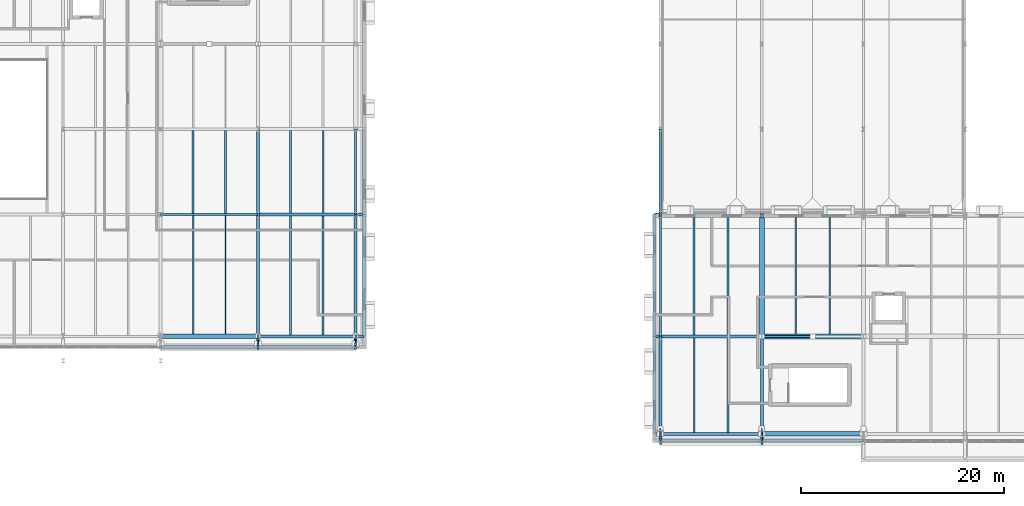
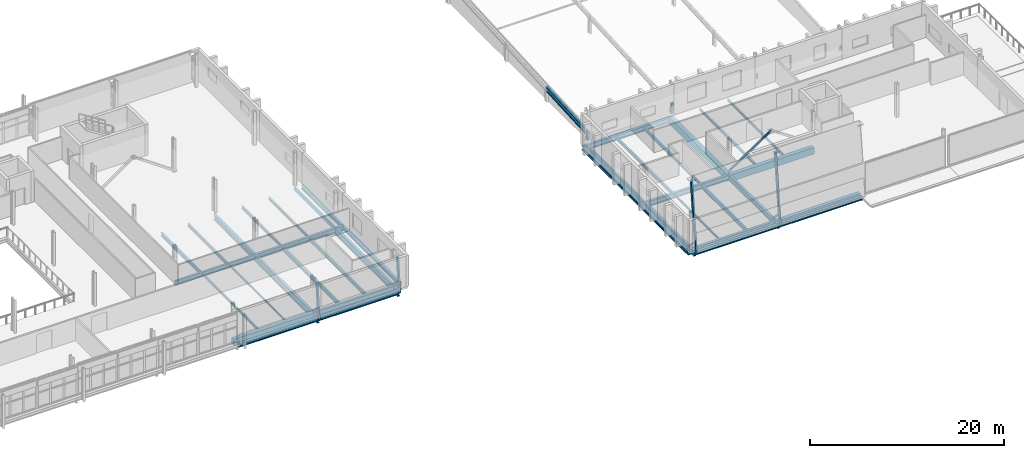
# One storey, part 24 of 57: 40 beams, 11 members.
"""IFC4 building model written with IfcOpenShell, lengths in metres."""

from ifc_helpers import new_model, si_unit, direction, frame, origin, origin_2d, place, context, subcontext, project, spatial, rectangle, hollow_rectangle, i_section, extrude, material, material_profile, profile_set, type_object, element, save


model = new_model("IFC4")

# Units and contexts
model_context = context("Model", 3, precision=1e-05, world=origin(), true_north=direction((0.0, 1.0)))
body_context = subcontext(model_context, "Body", "Model", "MODEL_VIEW")
ifc_project = project(units=[si_unit("LENGTHUNIT", "METRE"), si_unit("AREAUNIT", "SQUARE_METRE"), si_unit("VOLUMEUNIT", "CUBIC_METRE"), si_unit("PLANEANGLEUNIT", "RADIAN"), si_unit("MASSUNIT", "GRAM", prefix="KILO")], contexts=[model_context])

# Site, building, storey
site_placement = place(None, origin())
site = spatial("IfcSite", under=ifc_project, at=site_placement, CompositionType="ELEMENT")
building_placement = place(site_placement, origin())
building = spatial("IfcBuilding", under=site, at=building_placement, Name="Zereglee Splitstone Museum", CompositionType="ELEMENT")
storey_placement = place(building_placement, frame((0.0, 0.0, 17.10009765625)))
storey = spatial("IfcBuildingStorey", under=building, at=storey_placement, Name="L03", CompositionType="ELEMENT", Elevation=17.10009765625)

# Beams
ifc_material_1 = material(Name="Concrete C40/50", Category="concrete")
ifc_material_profile_1 = material_profile(ifc_material_1, rectangle(XDim=0.5, YDim=0.85009765625, at=origin_2d()), Name="RC 500x850")
ifc_profile_set_1 = profile_set([ifc_material_profile_1], Name="Concrete C40/50")
beam_type_1 = type_object("IfcBeamType", Name="BG-02", PredefinedType="BEAM", material=ifc_profile_set_1)
beam_1_placement = place(storey_placement, frame((185.199951171875, 9.60009765625, -0.705078125), z_axis=(1.0, 0.0, 0.0), x_axis=(0.0, 1.0, 0.0)))
element("IfcBeam", 1, at=beam_1_placement, inside=storey, type_object=beam_type_1, Name="Primary Girder L03 B (185.2-195.2)", PredefinedType="BEAM", context=body_context, shape_type="SweptSolid", body=[
    extrude(rectangle(XDim=0.5, YDim=0.85009765625, at=origin_2d()), origin(), (0.0, 0.0, 1.0), 10.0),
])
beam_2_placement = place(storey_placement, frame((185.199951171875, 9.60009765625, -0.705078125), z_axis=(0.0, 1.0, 0.0), x_axis=(-1.0, 0.0, 0.0)))
element("IfcBeam", 2, at=beam_2_placement, inside=storey, type_object=beam_type_1, Name="Primary Girder L03 21 (9.6-21.6)", PredefinedType="BEAM", context=body_context, shape_type="SweptSolid", body=[
    extrude(rectangle(XDim=0.5, YDim=0.85009765625, at=origin_2d()), origin(), (0.0, 0.0, 1.0), 12.0),
])

# Member
ifc_material_2 = material(Name="Steel S355J2H", Category="steel")
ifc_material_profile_2 = material_profile(ifc_material_2, hollow_rectangle(XDim=0.179931640625, YDim=0.179931640625, WallThickness=0.010009765625, at=origin_2d()), Name="SHS 180x180x10")
ifc_profile_set_2 = profile_set([ifc_material_profile_2], Name="Steel S355J2H")
member_type_1 = type_object("IfcMemberType", Name="TB-08", PredefinedType="BRACE", material=ifc_profile_set_2)
member_placement = place(storey_placement, frame((185.199951171875, 9.60009765625, 0.119873046875), z_axis=(0.82999331447, 0.0, 0.557773339211), x_axis=(0.0, 1.0, 0.0)))
element("IfcMember", 3, at=member_placement, inside=storey, type_object=member_type_1, Name="Lateral Braced Frame Chevron L03-018A", PredefinedType="BRACE", context=body_context, shape_type="SweptSolid", body=[
    extrude(hollow_rectangle(XDim=0.179931640625, YDim=0.179931640625, WallThickness=0.010009765625, at=origin_2d()), origin(), (0.0, 0.0, 1.0), 6.024169921875),
])

# Beams
ifc_material_3 = material(Name="Steel S355J2", Category="steel")
ifc_material_profile_3 = material_profile(ifc_material_3, i_section(OverallWidth=0.300048828125, OverallDepth=0.64990234375, WebThickness=0.01611328125, FlangeThickness=0.031005859375, FilletRadius=0.027099609375, at=origin_2d()), Name="HE 650 B")
ifc_profile_set_3 = profile_set([ifc_material_profile_3], Name="Steel S355J2")
beam_type_2 = type_object("IfcBeamType", Name="BG-09", PredefinedType="BEAM", material=ifc_profile_set_3)
beam_3_placement = place(storey_placement, frame((174.64990234375, 0.0, -0.60498046875), z_axis=(1.0, 0.0, 0.0), x_axis=(0.0, 1.0, 0.0)))
element("IfcBeam", 4, at=beam_3_placement, inside=storey, type_object=beam_type_2, Name="Primary Girder L03 A (174.7-185.2)", PredefinedType="BEAM", context=body_context, shape_type="SweptSolid", body=[
    extrude(i_section(OverallWidth=0.300048828125, OverallDepth=0.64990234375, WebThickness=0.01611328125, FlangeThickness=0.031005859375, FilletRadius=0.027099609375, at=origin_2d()), origin(), (0.0, 0.0, 1.0), 10.550048828125),
])
beam_4_placement = place(storey_placement, frame((135.60009765625, 9.60009765625, -0.60498046875), z_axis=(1.0, 0.0, 0.0), x_axis=(0.0, 1.0, 0.0)))
element("IfcBeam", 5, at=beam_4_placement, inside=storey, type_object=beam_type_2, Name="Primary Girder L03 B (135.6-146.1)", PredefinedType="BEAM", context=body_context, shape_type="SweptSolid", body=[
    extrude(i_section(OverallWidth=0.300048828125, OverallDepth=0.64990234375, WebThickness=0.01611328125, FlangeThickness=0.031005859375, FilletRadius=0.027099609375, at=origin_2d()), origin(), (0.0, 0.0, 1.0), 10.449951171875),
])
beam_5_placement = place(storey_placement, frame((174.64990234375, 9.60009765625, -0.60498046875), z_axis=(1.0, 0.0, 0.0), x_axis=(0.0, 1.0, 0.0)))
element("IfcBeam", 6, at=beam_5_placement, inside=storey, type_object=beam_type_2, Name="Primary Girder L03 B (174.7-185.2)", PredefinedType="BEAM", context=body_context, shape_type="SweptSolid", body=[
    extrude(i_section(OverallWidth=0.300048828125, OverallDepth=0.64990234375, WebThickness=0.01611328125, FlangeThickness=0.031005859375, FilletRadius=0.027099609375, at=origin_2d()), origin(), (0.0, 0.0, 1.0), 10.550048828125),
])
beam_6_placement = place(storey_placement, frame((135.60009765625, 21.60009765625, -0.60498046875), z_axis=(1.0, 0.0, 0.0), x_axis=(0.0, 1.0, 0.0)))
element("IfcBeam", 7, at=beam_6_placement, inside=storey, type_object=beam_type_2, Name="Primary Girder L03 C (135.6-146.1)", PredefinedType="BEAM", context=body_context, shape_type="SweptSolid", body=[
    extrude(i_section(OverallWidth=0.300048828125, OverallDepth=0.64990234375, WebThickness=0.01611328125, FlangeThickness=0.031005859375, FilletRadius=0.027099609375, at=origin_2d()), origin(), (0.0, 0.0, 1.0), 10.449951171875),
])
beam_7_placement = place(storey_placement, frame((174.64990234375, 21.60009765625, -0.60498046875), z_axis=(1.0, 0.0, 0.0), x_axis=(0.0, 1.0, 0.0)))
element("IfcBeam", 8, at=beam_7_placement, inside=storey, type_object=beam_type_2, Name="Primary Girder L03 C (174.7-185.2)", PredefinedType="BEAM", context=body_context, shape_type="SweptSolid", body=[
    extrude(i_section(OverallWidth=0.300048828125, OverallDepth=0.64990234375, WebThickness=0.01611328125, FlangeThickness=0.031005859375, FilletRadius=0.027099609375, at=origin_2d()), origin(), (0.0, 0.0, 1.0), 10.550048828125),
])
for number, where, z_axis, x_axis, name in (
    (9, (175.199951171875, -0.64990234375, -0.60498046875), (0.0, 1.0, 0.0), (-1.0, 0.0, 0.0), "Primary Girder L03 20 (-0.7-9.6)"),
    (10, (185.199951171875, -0.64990234375, -0.60498046875), (0.0, 1.0, 0.0), (-1.0, 0.0, 0.0), "Primary Girder L03 21 (-0.7-9.6)"),
):
    element("IfcBeam", number, at=place(storey_placement, frame(where, z_axis=z_axis, x_axis=x_axis)), inside=storey, type_object=beam_type_2, Name=name, PredefinedType="BEAM", context=body_context, shape_type="SweptSolid", body=[
        extrude(i_section(OverallWidth=0.300048828125, OverallDepth=0.64990234375, WebThickness=0.01611328125, FlangeThickness=0.031005859375, FilletRadius=0.027099609375, at=origin_2d()), origin(), (0.0, 0.0, 1.0), 10.25),
    ])
ifc_material_profile_4 = material_profile(ifc_material_3, i_section(OverallWidth=0.300048828125, OverallDepth=0.699951171875, WebThickness=0.01708984375, FlangeThickness=0.031982421875, FilletRadius=0.027099609375, at=origin_2d()), Name="HE 700 B")
ifc_profile_set_4 = profile_set([ifc_material_profile_4], Name="Steel S355J2")
beam_type_3 = type_object("IfcBeamType", Name="BG-08", PredefinedType="BEAM", material=ifc_profile_set_4)
beam_8_placement = place(storey_placement, frame((135.60009765625, 21.60009765625, -0.630126953125), z_axis=(0.0, 1.0, 0.0), x_axis=(-1.0, 0.0, 0.0)))
element("IfcBeam", 11, at=beam_8_placement, inside=storey, type_object=beam_type_3, Name="Primary Girder L03 16 (21.6-30.0)", PredefinedType="BEAM", context=body_context, shape_type="SweptSolid", body=[
    extrude(i_section(OverallWidth=0.300048828125, OverallDepth=0.699951171875, WebThickness=0.01708984375, FlangeThickness=0.031982421875, FilletRadius=0.027099609375, at=origin_2d()), origin(), (0.0, 0.0, 1.0), 8.39990234375),
])
ifc_material_profile_5 = material_profile(ifc_material_3, i_section(OverallWidth=0.300048828125, OverallDepth=0.800048828125, WebThickness=0.017578125, FlangeThickness=0.032958984375, FilletRadius=0.030029296875, at=origin_2d()), Name="HE 800 B")
ifc_profile_set_5 = profile_set([ifc_material_profile_5], Name="Steel S355J2")
beam_type_4 = type_object("IfcBeamType", Name="BG-07", PredefinedType="BEAM", material=ifc_profile_set_5)
for number, where, z_axis, x_axis, name in (
    (12, (135.60009765625, 8.550048828125, -0.68017578125), (0.0, 1.0, 0.0), (-1.0, 0.0, 0.0), "Primary Girder L03 16 (8.6-21.6)"),
    (13, (145.199951171875, 8.550048828125, -0.68017578125), (0.0, 1.0, 0.0), (-1.0, 0.0, 0.0), "Primary Girder L03 17 (8.6-21.6)"),
):
    element("IfcBeam", number, at=place(storey_placement, frame(where, z_axis=z_axis, x_axis=x_axis)), inside=storey, type_object=beam_type_4, Name=name, PredefinedType="BEAM", context=body_context, shape_type="SweptSolid", body=[
        extrude(i_section(OverallWidth=0.300048828125, OverallDepth=0.800048828125, WebThickness=0.017578125, FlangeThickness=0.032958984375, FilletRadius=0.030029296875, at=origin_2d()), origin(), (0.0, 0.0, 1.0), 13.050048828125),
    ])
ifc_material_profile_6 = material_profile(ifc_material_3, i_section(OverallWidth=0.219970703125, OverallDepth=0.60009765625, WebThickness=0.011962890625, FlangeThickness=0.01904296875, FilletRadius=0.02392578125, at=origin_2d()), Name="IPE 600")
ifc_profile_set_6 = profile_set([ifc_material_profile_6], Name="Steel S355J2")
beam_type_5 = type_object("IfcBeamType", Name="BG-15", PredefinedType="BEAM", material=ifc_profile_set_6)
beam_9_placement = place(storey_placement, frame((126.0, 21.60009765625, -0.580078125), z_axis=(1.0, 0.0, 0.0), x_axis=(0.0, 1.0, 0.0)))
element("IfcBeam", 14, at=beam_9_placement, inside=storey, type_object=beam_type_5, Name="Primary Girder L03 C (126.0-135.6)", PredefinedType="BEAM", context=body_context, shape_type="SweptSolid", body=[
    extrude(i_section(OverallWidth=0.219970703125, OverallDepth=0.60009765625, WebThickness=0.011962890625, FlangeThickness=0.01904296875, FilletRadius=0.02392578125, at=origin_2d()), origin(), (0.0, 0.0, 1.0), 9.60009765625),
])
ifc_material_profile_7 = material_profile(ifc_material_3, i_section(OverallWidth=0.1201171875, OverallDepth=0.239990234375, WebThickness=0.006103515625, FlangeThickness=0.009765625, FilletRadius=0.014892578125, at=origin_2d()), Name="IPE 240")
ifc_profile_set_7 = profile_set([ifc_material_profile_7], Name="Steel S355J2")
beam_type_6 = type_object("IfcBeamType", Name="BJ-07", PredefinedType="JOIST", material=ifc_profile_set_7)
beam_10_placement = place(storey_placement, frame((178.533203125, 0.14990234375, -0.400146484375), z_axis=(0.0, 1.0, 0.0), x_axis=(-1.0, 0.0, 0.0)))
element("IfcBeam", 15, at=beam_10_placement, inside=storey, type_object=beam_type_6, Name="Secondary Floor Joist L03-1308", PredefinedType="JOIST", context=body_context, shape_type="SweptSolid", body=[
    extrude(i_section(OverallWidth=0.1201171875, OverallDepth=0.239990234375, WebThickness=0.006103515625, FlangeThickness=0.009765625, FilletRadius=0.014892578125, at=origin_2d()), origin(), (0.0, 0.0, 1.0), 9.300048828125),
])
beam_11_placement = place(storey_placement, frame((132.39990234375, 9.824951171875, -0.400146484375), z_axis=(0.0, 1.0, 0.0), x_axis=(-1.0, 0.0, 0.0)))
element("IfcBeam", 16, at=beam_11_placement, inside=storey, type_object=beam_type_6, Name="Secondary Floor Joist L03-1329", PredefinedType="JOIST", context=body_context, shape_type="SweptSolid", body=[
    extrude(i_section(OverallWidth=0.1201171875, OverallDepth=0.239990234375, WebThickness=0.006103515625, FlangeThickness=0.009765625, FilletRadius=0.014892578125, at=origin_2d()), origin(), (0.0, 0.0, 1.0), 11.6650390625),
])
ifc_material_profile_8 = material_profile(ifc_material_3, i_section(OverallWidth=0.14990234375, OverallDepth=0.300048828125, WebThickness=0.007080078125, FlangeThickness=0.0107421875, FilletRadius=0.014892578125, at=origin_2d()), Name="IPE 300")
ifc_profile_set_8 = profile_set([ifc_material_profile_8], Name="Steel S355J2")
beam_type_7 = type_object("IfcBeamType", Name="BJ-06", PredefinedType="JOIST", material=ifc_profile_set_8)
beam_12_placement = place(storey_placement, frame((129.199951171875, 9.824951171875, -0.43017578125), z_axis=(0.0, 1.0, 0.0), x_axis=(-1.0, 0.0, 0.0)))
element("IfcBeam", 17, at=beam_12_placement, inside=storey, type_object=beam_type_7, Name="Secondary Floor Joist L03-1328", PredefinedType="JOIST", context=body_context, shape_type="SweptSolid", body=[
    extrude(i_section(OverallWidth=0.14990234375, OverallDepth=0.300048828125, WebThickness=0.007080078125, FlangeThickness=0.0107421875, FilletRadius=0.014892578125, at=origin_2d()), origin(), (0.0, 0.0, 1.0), 11.6650390625),
])
beam_13_placement = place(storey_placement, frame((191.86669921875, 9.85009765625, -0.43017578125), z_axis=(0.0, 1.0, 0.0), x_axis=(-1.0, 0.0, 0.0)))
element("IfcBeam", 18, at=beam_13_placement, inside=storey, type_object=beam_type_7, Name="Secondary Floor Joist L03-1335", PredefinedType="JOIST", context=body_context, shape_type="SweptSolid", body=[
    extrude(i_section(OverallWidth=0.14990234375, OverallDepth=0.300048828125, WebThickness=0.007080078125, FlangeThickness=0.0107421875, FilletRadius=0.014892578125, at=origin_2d()), origin(), (0.0, 0.0, 1.0), 11.60986328125),
])
ifc_material_profile_9 = material_profile(ifc_material_3, i_section(OverallWidth=0.159912109375, OverallDepth=0.330078125, WebThickness=0.007568359375, FlangeThickness=0.011474609375, FilletRadius=0.01806640625, at=origin_2d()), Name="IPE 330")
ifc_profile_set_9 = profile_set([ifc_material_profile_9], Name="Steel S355J2")
beam_type_8 = type_object("IfcBeamType", Name="BJ-05", PredefinedType="JOIST", material=ifc_profile_set_9)
beam_14_placement = place(storey_placement, frame((188.533203125, 9.85009765625, -0.445068359375), z_axis=(0.0, 1.0, 0.0), x_axis=(-1.0, 0.0, 0.0)))
element("IfcBeam", 19, at=beam_14_placement, inside=storey, type_object=beam_type_8, Name="Secondary Floor Joist L03-1334", PredefinedType="JOIST", context=body_context, shape_type="SweptSolid", body=[
    extrude(i_section(OverallWidth=0.159912109375, OverallDepth=0.330078125, WebThickness=0.007568359375, FlangeThickness=0.011474609375, FilletRadius=0.01806640625, at=origin_2d()), origin(), (0.0, 0.0, 1.0), 11.60986328125),
])
beam_15_placement = place(storey_placement, frame((142.0, 21.75, -0.445068359375), z_axis=(0.0, 1.0, 0.0), x_axis=(-1.0, 0.0, 0.0)))
element("IfcBeam", 20, at=beam_15_placement, inside=storey, type_object=beam_type_8, Name="Secondary Floor Joist L03-1355", PredefinedType="JOIST", context=body_context, shape_type="SweptSolid", body=[
    extrude(i_section(OverallWidth=0.159912109375, OverallDepth=0.330078125, WebThickness=0.007568359375, FlangeThickness=0.011474609375, FilletRadius=0.01806640625, at=origin_2d()), origin(), (0.0, 0.0, 1.0), 8.10009765625),
])
ifc_material_profile_10 = material_profile(ifc_material_3, i_section(OverallWidth=0.169921875, OverallDepth=0.360107421875, WebThickness=0.008056640625, FlangeThickness=0.0126953125, FilletRadius=0.01806640625, at=origin_2d()), Name="IPE 360")
ifc_profile_set_10 = profile_set([ifc_material_profile_10], Name="Steel S355J2")
beam_type_9 = type_object("IfcBeamType", Name="BJ-04", PredefinedType="JOIST", material=ifc_profile_set_10)
beam_16_placement = place(storey_placement, frame((181.86669921875, 9.75, -0.460205078125), z_axis=(0.0, 1.0, 0.0), x_axis=(-1.0, 0.0, 0.0)))
element("IfcBeam", 21, at=beam_16_placement, inside=storey, type_object=beam_type_9, Name="Secondary Floor Joist L03-1333", PredefinedType="JOIST", context=body_context, shape_type="SweptSolid", body=[
    extrude(i_section(OverallWidth=0.169921875, OverallDepth=0.360107421875, WebThickness=0.008056640625, FlangeThickness=0.0126953125, FilletRadius=0.01806640625, at=origin_2d()), origin(), (0.0, 0.0, 1.0), 11.699951171875),
])
beam_17_placement = place(storey_placement, frame((138.800048828125, 21.75, -0.460205078125), z_axis=(0.0, 1.0, 0.0), x_axis=(-1.0, 0.0, 0.0)))
element("IfcBeam", 22, at=beam_17_placement, inside=storey, type_object=beam_type_9, Name="Secondary Floor Joist L03-1354", PredefinedType="JOIST", context=body_context, shape_type="SweptSolid", body=[
    extrude(i_section(OverallWidth=0.169921875, OverallDepth=0.360107421875, WebThickness=0.008056640625, FlangeThickness=0.0126953125, FilletRadius=0.01806640625, at=origin_2d()), origin(), (0.0, 0.0, 1.0), 8.10009765625),
])
ifc_material_profile_11 = material_profile(ifc_material_3, i_section(OverallWidth=0.179931640625, OverallDepth=0.39990234375, WebThickness=0.008544921875, FlangeThickness=0.013427734375, FilletRadius=0.02099609375, at=origin_2d()), Name="IPE 400")
ifc_profile_set_11 = profile_set([ifc_material_profile_11], Name="Steel S355J2")
beam_type_10 = type_object("IfcBeamType", Name="BJ-03", PredefinedType="JOIST", material=ifc_profile_set_11)
beam_18_placement = place(storey_placement, frame((178.533203125, 9.75, -0.47998046875), z_axis=(0.0, 1.0, 0.0), x_axis=(-1.0, 0.0, 0.0)))
element("IfcBeam", 23, at=beam_18_placement, inside=storey, type_object=beam_type_10, Name="Secondary Floor Joist L03-1332", PredefinedType="JOIST", context=body_context, shape_type="SweptSolid", body=[
    extrude(i_section(OverallWidth=0.179931640625, OverallDepth=0.39990234375, WebThickness=0.008544921875, FlangeThickness=0.013427734375, FilletRadius=0.02099609375, at=origin_2d()), origin(), (0.0, 0.0, 1.0), 11.699951171875),
])
beam_19_placement = place(storey_placement, frame((132.39990234375, 21.7099609375, -0.47998046875), z_axis=(0.0, 1.0, 0.0), x_axis=(-1.0, 0.0, 0.0)))
element("IfcBeam", 24, at=beam_19_placement, inside=storey, type_object=beam_type_10, Name="Secondary Floor Joist L03-1353", PredefinedType="JOIST", context=body_context, shape_type="SweptSolid", body=[
    extrude(i_section(OverallWidth=0.179931640625, OverallDepth=0.39990234375, WebThickness=0.008544921875, FlangeThickness=0.013427734375, FilletRadius=0.02099609375, at=origin_2d()), origin(), (0.0, 0.0, 1.0), 8.18505859375),
])
ifc_material_profile_12 = material_profile(ifc_material_3, i_section(OverallWidth=0.18994140625, OverallDepth=0.449951171875, WebThickness=0.009521484375, FlangeThickness=0.0146484375, FilletRadius=0.02099609375, at=origin_2d()), Name="IPE 450")
ifc_profile_set_12 = profile_set([ifc_material_profile_12], Name="Steel S355J2")
beam_type_11 = type_object("IfcBeamType", Name="BJ-02", PredefinedType="JOIST", material=ifc_profile_set_12)
beam_20_placement = place(storey_placement, frame((142.0, 9.75, -0.505126953125), z_axis=(0.0, 1.0, 0.0), x_axis=(-1.0, 0.0, 0.0)))
element("IfcBeam", 25, at=beam_20_placement, inside=storey, type_object=beam_type_11, Name="Secondary Floor Joist L03-1331", PredefinedType="JOIST", context=body_context, shape_type="SweptSolid", body=[
    extrude(i_section(OverallWidth=0.18994140625, OverallDepth=0.449951171875, WebThickness=0.009521484375, FlangeThickness=0.0146484375, FilletRadius=0.02099609375, at=origin_2d()), origin(), (0.0, 0.0, 1.0), 11.699951171875),
])
beam_21_placement = place(storey_placement, frame((129.199951171875, 21.7099609375, -0.505126953125), z_axis=(0.0, 1.0, 0.0), x_axis=(-1.0, 0.0, 0.0)))
element("IfcBeam", 26, at=beam_21_placement, inside=storey, type_object=beam_type_11, Name="Secondary Floor Joist L03-1352", PredefinedType="JOIST", context=body_context, shape_type="SweptSolid", body=[
    extrude(i_section(OverallWidth=0.18994140625, OverallDepth=0.449951171875, WebThickness=0.009521484375, FlangeThickness=0.0146484375, FilletRadius=0.02099609375, at=origin_2d()), origin(), (0.0, 0.0, 1.0), 8.18505859375),
])
ifc_material_profile_13 = material_profile(ifc_material_3, i_section(OverallWidth=0.199951171875, OverallDepth=0.5, WebThickness=0.01025390625, FlangeThickness=0.01611328125, FilletRadius=0.02099609375, at=origin_2d()), Name="IPE 500")
ifc_profile_set_13 = profile_set([ifc_material_profile_13], Name="Steel S355J2")
beam_type_12 = type_object("IfcBeamType", Name="BJ-01", PredefinedType="JOIST", material=ifc_profile_set_13)
beam_22_placement = place(storey_placement, frame((181.86669921875, 0.14990234375, -0.530029296875), z_axis=(0.0, 1.0, 0.0), x_axis=(-1.0, 0.0, 0.0)))
element("IfcBeam", 27, at=beam_22_placement, inside=storey, type_object=beam_type_12, Name="Secondary Floor Joist L03-1309", PredefinedType="JOIST", context=body_context, shape_type="SweptSolid", body=[
    extrude(i_section(OverallWidth=0.199951171875, OverallDepth=0.5, WebThickness=0.01025390625, FlangeThickness=0.01611328125, FilletRadius=0.02099609375, at=origin_2d()), origin(), (0.0, 0.0, 1.0), 9.300048828125),
])
beam_23_placement = place(storey_placement, frame((138.800048828125, 9.75, -0.530029296875), z_axis=(0.0, 1.0, 0.0), x_axis=(-1.0, 0.0, 0.0)))
element("IfcBeam", 28, at=beam_23_placement, inside=storey, type_object=beam_type_12, Name="Secondary Floor Joist L03-1330", PredefinedType="JOIST", context=body_context, shape_type="SweptSolid", body=[
    extrude(i_section(OverallWidth=0.199951171875, OverallDepth=0.5, WebThickness=0.01025390625, FlangeThickness=0.01611328125, FilletRadius=0.02099609375, at=origin_2d()), origin(), (0.0, 0.0, 1.0), 11.699951171875),
])
ifc_material_profile_14 = material_profile(ifc_material_3, i_section(OverallWidth=0.219970703125, OverallDepth=0.60009765625, WebThickness=0.011962890625, FlangeThickness=0.01904296875, FilletRadius=0.02392578125, at=origin_2d()), Name="IPE 600")
ifc_profile_set_14 = profile_set([ifc_material_profile_14], Name="Steel S355J2")
beam_type_13 = type_object("IfcBeamType", Name="RR-01", PredefinedType="BEAM", material=ifc_profile_set_14)
beam_24_placement = place(storey_placement, frame((175.199951171875, 21.60009765625, 1.1591796875), z_axis=(0.0, 0.998363155006, 0.05719275064), x_axis=(-1.0, 0.0, 0.0)))
element("IfcBeam", 29, at=beam_24_placement, inside=storey, type_object=beam_type_13, Name="Sloped Roof Girder RF-V4 X=175.2 (21.6-30.0)", PredefinedType="BEAM", context=body_context, shape_type="SweptSolid", body=[
    extrude(i_section(OverallWidth=0.219970703125, OverallDepth=0.60009765625, WebThickness=0.011962890625, FlangeThickness=0.01904296875, FilletRadius=0.02392578125, at=origin_2d()), origin(), (0.0, 0.0, 1.0), 8.41357421875),
])
ifc_material_profile_15 = material_profile(ifc_material_3, i_section(OverallWidth=0.300048828125, OverallDepth=0.449951171875, WebThickness=0.013916015625, FlangeThickness=0.02587890625, FilletRadius=0.027099609375, at=origin_2d()), Name="HE 450 B")
ifc_profile_set_15 = profile_set([ifc_material_profile_15], Name="Steel S355J2")
beam_type_14 = type_object("IfcBeamType", Name="SP-02", PredefinedType="SPANDREL", material=ifc_profile_set_15)
beam_25_placement = place(storey_placement, frame((126.0, 8.550048828125, -0.505126953125), z_axis=(1.0, 0.0, 0.0), x_axis=(0.0, 1.0, 0.0)))
element("IfcBeam", 30, at=beam_25_placement, inside=storey, type_object=beam_type_14, Name="Hovering Soffit Spandrel L03 (126.0-135.6)", PredefinedType="SPANDREL", context=body_context, shape_type="SweptSolid", body=[
    extrude(i_section(OverallWidth=0.300048828125, OverallDepth=0.449951171875, WebThickness=0.013916015625, FlangeThickness=0.02587890625, FilletRadius=0.027099609375, at=origin_2d()), origin(), (0.0, 0.0, 1.0), 9.60009765625),
])
beam_26_placement = place(storey_placement, frame((135.60009765625, 8.550048828125, -0.505126953125), z_axis=(1.0, 0.0, 0.0), x_axis=(0.0, 1.0, 0.0)))
element("IfcBeam", 31, at=beam_26_placement, inside=storey, type_object=beam_type_14, Name="Hovering Soffit Spandrel L03 (135.6-145.2)", PredefinedType="SPANDREL", context=body_context, shape_type="SweptSolid", body=[
    extrude(i_section(OverallWidth=0.300048828125, OverallDepth=0.449951171875, WebThickness=0.013916015625, FlangeThickness=0.02587890625, FilletRadius=0.027099609375, at=origin_2d()), origin(), (0.0, 0.0, 1.0), 9.599853515625),
])
beam_27_placement = place(storey_placement, frame((146.050048828125, 9.60009765625, -0.505126953125), z_axis=(0.0, 1.0, 0.0), x_axis=(-1.0, 0.0, 0.0)))
element("IfcBeam", 32, at=beam_27_placement, inside=storey, type_object=beam_type_14, Name="Hovering Soffit Spandrel L03 Y=(9.6-21.6)", PredefinedType="SPANDREL", context=body_context, shape_type="SweptSolid", body=[
    extrude(i_section(OverallWidth=0.300048828125, OverallDepth=0.449951171875, WebThickness=0.013916015625, FlangeThickness=0.02587890625, FilletRadius=0.027099609375, at=origin_2d()), origin(), (0.0, 0.0, 1.0), 12.0),
])
beam_28_placement = place(storey_placement, frame((146.050048828125, 21.60009765625, -0.505126953125), z_axis=(0.0, 1.0, 0.0), x_axis=(-1.0, 0.0, 0.0)))
element("IfcBeam", 33, at=beam_28_placement, inside=storey, type_object=beam_type_14, Name="Hovering Soffit Spandrel L03 Y=(21.6-30.0)", PredefinedType="SPANDREL", context=body_context, shape_type="SweptSolid", body=[
    extrude(i_section(OverallWidth=0.300048828125, OverallDepth=0.449951171875, WebThickness=0.013916015625, FlangeThickness=0.02587890625, FilletRadius=0.027099609375, at=origin_2d()), origin(), (0.0, 0.0, 1.0), 8.39990234375),
])
for number, where, z_axis, x_axis, name in (
    (34, (175.199951171875, -0.64990234375, -0.505126953125), (1.0, 0.0, 0.0), (0.0, 1.0, 0.0), "Hovering Soffit Spandrel L03 (175.2-185.2)"),
    (35, (185.199951171875, -0.64990234375, -0.505126953125), (1.0, 0.0, 0.0), (0.0, 1.0, 0.0), "Hovering Soffit Spandrel L03 (185.2-195.2)"),
):
    element("IfcBeam", number, at=place(storey_placement, frame(where, z_axis=z_axis, x_axis=x_axis)), inside=storey, type_object=beam_type_14, Name=name, PredefinedType="SPANDREL", context=body_context, shape_type="SweptSolid", body=[
        extrude(i_section(OverallWidth=0.300048828125, OverallDepth=0.449951171875, WebThickness=0.013916015625, FlangeThickness=0.02587890625, FilletRadius=0.027099609375, at=origin_2d()), origin(), (0.0, 0.0, 1.0), 10.0),
    ])
beam_29_placement = place(storey_placement, frame((174.64990234375, 0.0, -0.505126953125), z_axis=(0.0, 1.0, 0.0), x_axis=(-1.0, 0.0, 0.0)))
element("IfcBeam", 36, at=beam_29_placement, inside=storey, type_object=beam_type_14, Name="Hovering Soffit Spandrel L03 Y=(0.0-9.6)", PredefinedType="SPANDREL", context=body_context, shape_type="SweptSolid", body=[
    extrude(i_section(OverallWidth=0.300048828125, OverallDepth=0.449951171875, WebThickness=0.013916015625, FlangeThickness=0.02587890625, FilletRadius=0.027099609375, at=origin_2d()), origin(), (0.0, 0.0, 1.0), 9.60009765625),
])
beam_30_placement = place(storey_placement, frame((174.64990234375, 9.60009765625, -0.505126953125), z_axis=(0.0, 1.0, 0.0), x_axis=(-1.0, 0.0, 0.0)))
element("IfcBeam", 37, at=beam_30_placement, inside=storey, type_object=beam_type_14, Name="Hovering Soffit Spandrel L03 Y=(9.6-21.6)", PredefinedType="SPANDREL", context=body_context, shape_type="SweptSolid", body=[
    extrude(i_section(OverallWidth=0.300048828125, OverallDepth=0.449951171875, WebThickness=0.013916015625, FlangeThickness=0.02587890625, FilletRadius=0.027099609375, at=origin_2d()), origin(), (0.0, 0.0, 1.0), 12.0),
])
ifc_material_profile_16 = material_profile(ifc_material_1, rectangle(XDim=0.449951171875, YDim=0.75, at=origin_2d()), Name="RC 450x750")
ifc_profile_set_16 = profile_set([ifc_material_profile_16], Name="Concrete C40/50")
beam_type_15 = type_object("IfcBeamType", Name="SP-01", PredefinedType="SPANDREL", material=ifc_profile_set_16)
beam_31_placement = place(storey_placement, frame((185.199951171875, 0.0, -0.655029296875), z_axis=(1.0, 0.0, 0.0), x_axis=(0.0, 1.0, 0.0)))
element("IfcBeam", 38, at=beam_31_placement, inside=storey, type_object=beam_type_15, Name="Primary Girder L03 A (185.2-195.2)", PredefinedType="SPANDREL", context=body_context, shape_type="SweptSolid", body=[
    extrude(rectangle(XDim=0.449951171875, YDim=0.75, at=origin_2d()), origin(), (0.0, 0.0, 1.0), 10.0),
])
beam_32_placement = place(storey_placement, frame((126.0, 9.60009765625, -0.655029296875), z_axis=(1.0, 0.0, 0.0), x_axis=(0.0, 1.0, 0.0)))
element("IfcBeam", 39, at=beam_32_placement, inside=storey, type_object=beam_type_15, Name="Primary Girder L03 B (126.0-135.6)", PredefinedType="SPANDREL", context=body_context, shape_type="SweptSolid", body=[
    extrude(rectangle(XDim=0.449951171875, YDim=0.75, at=origin_2d()), origin(), (0.0, 0.0, 1.0), 9.60009765625),
])
ifc_material_profile_17 = material_profile(ifc_material_2, hollow_rectangle(XDim=0.199951171875, YDim=0.39990234375, WallThickness=0.01611328125, at=origin_2d()), Name="RHS 400x200x16")
ifc_profile_set_17 = profile_set([ifc_material_profile_17], Name="Steel S355J2H")
beam_type_16 = type_object("IfcBeamType", Name="SP-04", PredefinedType="SPANDREL", material=ifc_profile_set_17)
beam_33_placement = place(storey_placement, frame((145.199951171875, 21.60009765625, -0.47998046875), z_axis=(0.0, 1.0, 0.0), x_axis=(-1.0, 0.0, 0.0)))
element("IfcBeam", 40, at=beam_33_placement, inside=storey, type_object=beam_type_16, Name="Primary Girder L03 17 (21.6-30.0)", PredefinedType="SPANDREL", context=body_context, shape_type="SweptSolid", body=[
    extrude(hollow_rectangle(XDim=0.199951171875, YDim=0.39990234375, WallThickness=0.01611328125, at=origin_2d()), origin(), (0.0, 0.0, 1.0), 8.39990234375),
])
beam_34_placement = place(storey_placement, frame((175.199951171875, 9.60009765625, -0.47998046875), z_axis=(0.0, 1.0, 0.0), x_axis=(-1.0, 0.0, 0.0)))
element("IfcBeam", 41, at=beam_34_placement, inside=storey, type_object=beam_type_16, Name="Primary Girder L03 20 (9.6-21.6)", PredefinedType="SPANDREL", context=body_context, shape_type="SweptSolid", body=[
    extrude(hollow_rectangle(XDim=0.199951171875, YDim=0.39990234375, WallThickness=0.01611328125, at=origin_2d()), origin(), (0.0, 0.0, 1.0), 12.0),
])

# Members
ifc_material_4 = material(Name="Steel S355J2 architectural chhajja corbel", Category="steel")
ifc_material_profile_18 = material_profile(ifc_material_4, i_section(OverallWidth=0.280029296875, OverallDepth=0.280029296875, WebThickness=0.010498046875, FlangeThickness=0.01806640625, FilletRadius=0.02392578125, at=origin_2d()), Name="HE 280 B")
ifc_profile_set_18 = profile_set([ifc_material_profile_18], Name="Steel S355J2 architectural chhajja corbel")
member_type_2 = type_object("IfcMemberType", Name="FS-C1", PredefinedType="STRUT", material=ifc_profile_set_18)
for number, where, z_axis, x_axis, name in (
    (42, (175.199951171875, 21.60009765625, 0.14990234375), (0.0, -0.139609599772, 0.990206624726), (1.0, 0.0, 0.0), "Mughal Chhajja Corbel Bracket RF-V4 X=175.2"),
    (43, (185.199951171875, 21.60009765625, 0.14990234375), (0.0, -0.139609599772, 0.990206624726), (1.0, 0.0, 0.0), "Mughal Chhajja Corbel Bracket RF-V4 X=185.2"),
):
    element("IfcMember", number, at=place(storey_placement, frame(where, z_axis=z_axis, x_axis=x_axis)), inside=storey, type_object=member_type_2, Name=name, PredefinedType="STRUT", context=body_context, shape_type="SweptSolid", body=[
        extrude(i_section(OverallWidth=0.280029296875, OverallDepth=0.280029296875, WebThickness=0.010498046875, FlangeThickness=0.01806640625, FilletRadius=0.02392578125, at=origin_2d()), origin(), (0.0, 0.0, 1.0), 1.43408203125),
    ])
ifc_material_profile_19 = material_profile(ifc_material_2, hollow_rectangle(XDim=0.199951171875, YDim=0.300048828125, WallThickness=0.012451171875, at=origin_2d()), Name="RHS 300x200x12.5")
ifc_profile_set_19 = profile_set([ifc_material_profile_19], Name="Steel S355J2H")
member_type_3 = type_object("IfcMemberType", Name="FS-R1", PredefinedType="STRUT", material=ifc_profile_set_19)
for number, where, z_axis, x_axis, name in (
    (44, (135.60009765625, 8.43798828125, -0.530029296875), (0.0, 0.090914953193, 0.995858660296), (-1.0, 0.0, 0.0), "Split-Rock Continuous Facet Strut FH-V2SE L03-02"),
    (45, (145.199951171875, 8.43798828125, -0.530029296875), (0.0, 0.090914953193, 0.995858660296), (-1.0, 0.0, 0.0), "Split-Rock Continuous Facet Strut FH-V2SE L03-03"),
):
    element("IfcMember", number, at=place(storey_placement, frame(where, z_axis=z_axis, x_axis=x_axis)), inside=storey, type_object=member_type_3, Name=name, PredefinedType="STRUT", context=body_context, shape_type="SweptSolid", body=[
        extrude(hollow_rectangle(XDim=0.199951171875, YDim=0.300048828125, WallThickness=0.012451171875, at=origin_2d()), origin(), (0.0, 0.0, 1.0), 4.237548828125),
    ])
for number, where, z_axis, x_axis, name in (
    (46, (175.199951171875, -0.906982421875, -0.530029296875), (0.0, 0.111967153288, 0.993711908243), (-1.0, 0.0, 0.0), "Split-Rock Continuous Facet Strut FH-V3S L03-01"),
    (47, (185.199951171875, -0.906982421875, -0.530029296875), (0.0, 0.111967153288, 0.993711908243), (-1.0, 0.0, 0.0), "Split-Rock Continuous Facet Strut FH-V3S L03-02"),
):
    element("IfcMember", number, at=place(storey_placement, frame(where, z_axis=z_axis, x_axis=x_axis)), inside=storey, type_object=member_type_3, Name=name, PredefinedType="STRUT", context=body_context, shape_type="SweptSolid", body=[
        extrude(hollow_rectangle(XDim=0.199951171875, YDim=0.300048828125, WallThickness=0.012451171875, at=origin_2d()), origin(), (0.0, 0.0, 1.0), 8.916015625),
    ])
ifc_material_profile_20 = material_profile(ifc_material_2, hollow_rectangle(XDim=0.10009765625, YDim=0.179931640625, WallThickness=0.008056640625, at=origin_2d()), Name="RHS 180x100x8")
ifc_profile_set_20 = profile_set([ifc_material_profile_20], Name="Steel S355J2H")
member_type_4 = type_object("IfcMemberType", Name="FS-T2", PredefinedType="STRUT", material=ifc_profile_set_20)
for number, where, z_axis, x_axis, name in (
    (48, (135.60009765625, 9.699951171875, -0.239990234375), (0.0, -0.697696119972, 0.71639383315), (1.0, 0.0, 0.0), "Facet Tie-Back Strut FH-V2SE L03-02"),
    (49, (145.199951171875, 9.699951171875, -0.239990234375), (0.0, -0.697696119972, 0.71639383315), (1.0, 0.0, 0.0), "Facet Tie-Back Strut FH-V2SE L03-03"),
):
    element("IfcMember", number, at=place(storey_placement, frame(where, z_axis=z_axis, x_axis=x_axis)), inside=storey, type_object=member_type_4, Name=name, PredefinedType="STRUT", context=body_context, shape_type="SweptSolid", body=[
        extrude(hollow_rectangle(XDim=0.10009765625, YDim=0.179931640625, WallThickness=0.008056640625, at=origin_2d()), origin(), (0.0, 0.0, 1.0), 1.619140625),
    ])
ifc_material_profile_21 = material_profile(ifc_material_2, hollow_rectangle(XDim=0.1201171875, YDim=0.199951171875, WallThickness=0.008056640625, at=origin_2d()), Name="RHS 200x120x8")
ifc_profile_set_21 = profile_set([ifc_material_profile_21], Name="Steel S355J2H")
member_type_5 = type_object("IfcMemberType", Name="FS-T1", PredefinedType="STRUT", material=ifc_profile_set_21)
for number, where, z_axis, x_axis, name in (
    (50, (175.199951171875, 0.5, -0.239990234375), (0.0, -0.731231900035, 0.68212895289), (1.0, 0.0, 0.0), "Facet Tie-Back Strut FH-V3S L03-01"),
    (51, (185.199951171875, 0.5, -0.239990234375), (0.0, -0.731231900035, 0.68212895289), (1.0, 0.0, 0.0), "Facet Tie-Back Strut FH-V3S L03-02"),
):
    element("IfcMember", number, at=place(storey_placement, frame(where, z_axis=z_axis, x_axis=x_axis)), inside=storey, type_object=member_type_5, Name=name, PredefinedType="STRUT", context=body_context, shape_type="SweptSolid", body=[
        extrude(hollow_rectangle(XDim=0.1201171875, YDim=0.199951171875, WallThickness=0.008056640625, at=origin_2d()), origin(), (0.0, 0.0, 1.0), 1.700439453125),
    ])

save(model, "model.ifc")
